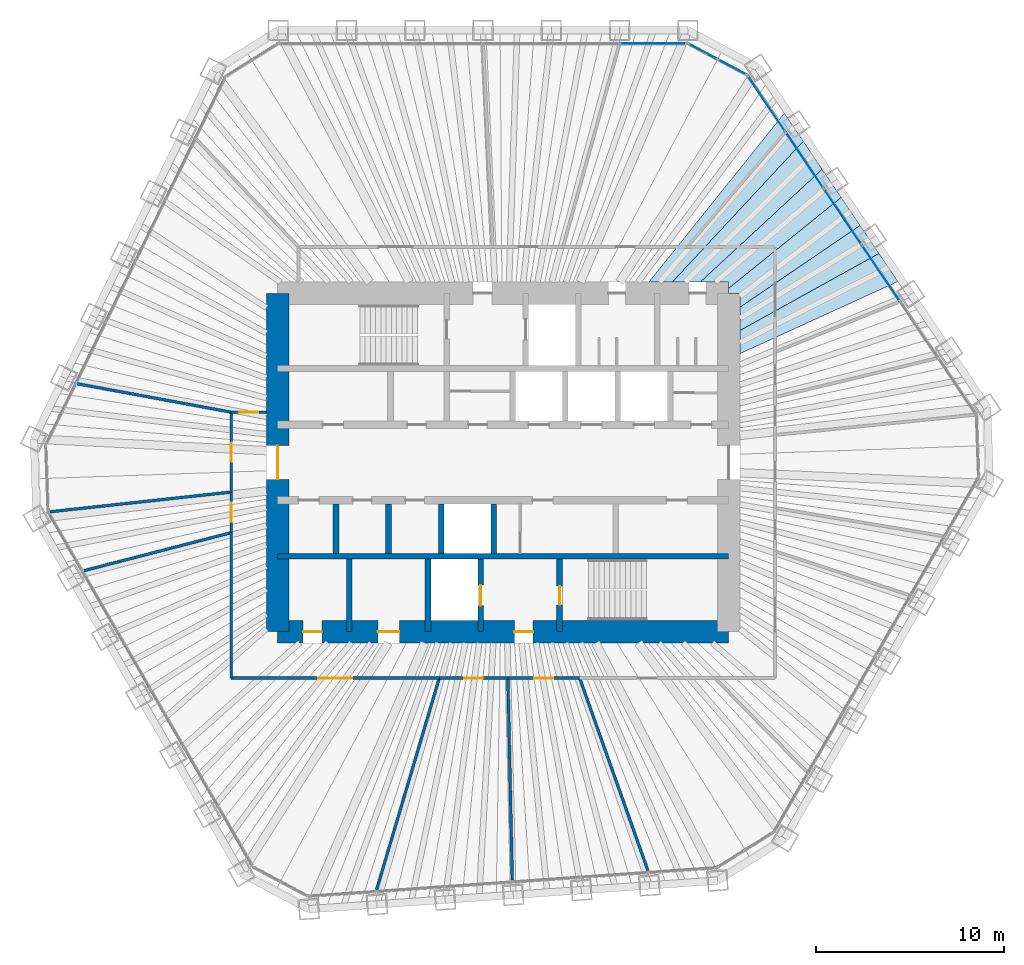
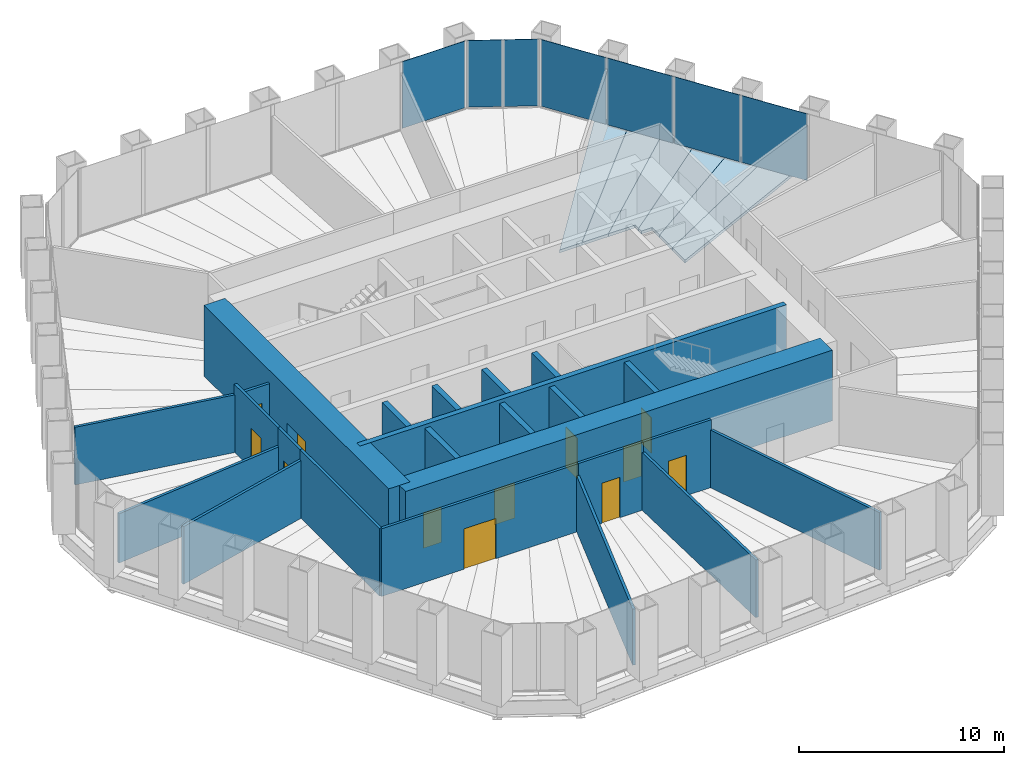
# One storey, part 10 of 13: 24 walls, 12 doors, 7 plates, 6 slabs, 12 openings, 3 elements without a shape of their own.
"""IFC4 building model written with IfcOpenShell, lengths in metres."""

from ifc_helpers import new_model, si_unit, direction, frame, frame_2d, origin, origin_2d, place, context, subcontext, project, spatial, polyline, rectangle, outline, extrude, material, layer, layer_set, type_object, element, fill, aggregate, save


model = new_model("IFC4")

# Units and contexts
model_context = context("Model", 3, precision=1e-05, world=origin(), true_north=direction((0.0, 1.0)))
body_context = subcontext(model_context, "Body", "Model", "MODEL_VIEW")
ifc_project = project(units=[si_unit("LENGTHUNIT", "METRE"), si_unit("AREAUNIT", "SQUARE_METRE"), si_unit("VOLUMEUNIT", "CUBIC_METRE"), si_unit("PLANEANGLEUNIT", "RADIAN"), si_unit("MASSUNIT", "GRAM", prefix="KILO")], contexts=[model_context])

# Site, building, storey
site_placement = place(None, origin())
site = spatial("IfcSite", under=ifc_project, at=site_placement, CompositionType="ELEMENT")
building_placement = place(site_placement, origin())
building = spatial("IfcBuilding", under=site, at=building_placement, Name="Qingtian Harvest Tower", CompositionType="ELEMENT")
storey_placement = place(building_placement, frame((0.0, 0.0, 209.800048828125)))
storey = spatial("IfcBuildingStorey", under=building, at=storey_placement, Name="L45", CompositionType="ELEMENT", Elevation=209.800048828125)

# Slabs
ifc_material_1 = material(Name="Concrete fc' 35 MPa", Category="concrete")
ifc_layer_1 = layer(ifc_material_1, 0.169921875)
ifc_layer_set_1 = layer_set([ifc_layer_1], Name="Composite floor slab FS17 170")
slab_type = type_object("IfcSlabType", Name="Composite floor slab FS17 170", PredefinedType="FLOOR", material=ifc_layer_set_1)
slab_1_placement = place(storey_placement, frame((0.0, 0.0, -0.170166015625)))
element("IfcSlab", 1, at=slab_1_placement, inside=storey, type_object=slab_type, Name="Floor slab L45 panel D45", PredefinedType="FLOOR", context=body_context, shape_type="SweptSolid", body=[
    extrude(outline(polyline([(12.60009765625, 7.023681640625), (20.003662109375, 11.125244140625), (21.010986328125, 9.6318359375), (12.60009765625, 5.7900390625), (12.60009765625, 7.023681640625)])), origin(), (0.0, 0.0, 1.0), 0.170166015625),
])
slab_2_placement = place(storey_placement, frame((0.0, 0.0, -0.170166015625)))
element("IfcSlab", 2, at=slab_2_placement, inside=storey, type_object=slab_type, Name="Floor slab L45 panel D46", PredefinedType="FLOOR", context=body_context, shape_type="SweptSolid", body=[
    extrude(outline(polyline([(12.60009765625, 8.260498046875), (18.997802734375, 12.61669921875), (20.003662109375, 11.125244140625), (12.60009765625, 7.023681640625), (12.60009765625, 8.260498046875)])), origin(), (0.0, 0.0, 1.0), 0.170166015625),
])
slab_3_placement = place(storey_placement, frame((0.0, 0.0, -0.170166015625)))
element("IfcSlab", 3, at=slab_3_placement, inside=storey, type_object=slab_type, Name="Floor slab L45 panel D47", PredefinedType="FLOOR", context=body_context, shape_type="SweptSolid", body=[
    extrude(outline(polyline([(12.60009765625, 9.0), (12.0, 9.0), (12.0, 9.2666015625), (17.99072265625, 14.109375), (18.997802734375, 12.61669921875), (12.60009765625, 8.260498046875), (12.60009765625, 9.0)])), origin(), (0.0, 0.0, 1.0), 0.170166015625),
])
slab_4_placement = place(storey_placement, frame((0.0, 0.0, -0.170166015625)))
element("IfcSlab", 4, at=slab_4_placement, inside=storey, type_object=slab_type, Name="Floor slab L45 panel D48", PredefinedType="FLOOR", context=body_context, shape_type="SweptSolid", body=[
    extrude(outline(polyline([(12.0, 9.60009765625), (10.48583984375, 9.60009765625), (16.982177734375, 15.604736328125), (17.99072265625, 14.109375), (12.0, 9.2666015625), (12.0, 9.60009765625)])), origin(), (0.0, 0.0, 1.0), 0.170166015625),
])
slab_5_placement = place(storey_placement, frame((0.0, 0.0, -0.170166015625)))
element("IfcSlab", 5, at=slab_5_placement, inside=storey, type_object=slab_type, Name="Floor slab L45 panel D49", PredefinedType="FLOOR", context=body_context, shape_type="SweptSolid", body=[
    extrude(outline(polyline([(8.998291015625, 9.60009765625), (15.974853515625, 17.098388671875), (16.982177734375, 15.604736328125), (10.48583984375, 9.60009765625), (8.998291015625, 9.60009765625)])), origin(), (0.0, 0.0, 1.0), 0.170166015625),
])
slab_6_placement = place(storey_placement, frame((0.0, 0.0, -0.170166015625)))
element("IfcSlab", 6, at=slab_6_placement, inside=storey, type_object=slab_type, Name="Floor slab L45 panel D50", PredefinedType="FLOOR", context=body_context, shape_type="SweptSolid", body=[
    extrude(outline(polyline([(7.751220703125, 9.60009765625), (14.967529296875, 18.591796875), (15.974853515625, 17.098388671875), (8.998291015625, 9.60009765625), (7.751220703125, 9.60009765625)])), origin(), (0.0, 0.0, 1.0), 0.170166015625),
])

# Curtain wall, plate
ifc_material_2 = material(Name="Bronze-anodised aluminium curtain wall", Category="aluminium")
curtain_wall_type = type_object("IfcCurtainWallType", Name="Curtain wall CW4 office", PredefinedType="USERDEFINED", material=ifc_material_2)
curtain_wall_1_placement = place(storey_placement, origin())
curtain_wall_1 = element("IfcCurtainWall", 7, at=curtain_wall_1_placement, inside=storey, type_object=curtain_wall_type, Name="Curtain wall CW4 L45 N0-5", ObjectType="RECESSED CURTAIN WALL", PredefinedType="USERDEFINED")
ifc_material_3 = material(Name="Bronze-tinted laminated insulating glass", Category="glass")
ifc_layer_2 = layer(ifc_material_3, 0.030029296875)
ifc_layer_set_2 = layer_set([ifc_layer_2], Name="Glazed panel CWP tinted IGU")
plate_type = type_object("IfcPlateType", Name="Glazed panel CWP tinted IGU", PredefinedType="CURTAIN_PANEL", material=ifc_layer_set_2)
plate_1_placement = place(storey_placement, frame((7.996337890625, 22.300048828125, 0.06494140625), z_axis=(0.0, 0.0, 1.0), x_axis=(1.0, 0.0, 0.0)))
plate_1 = element("IfcPlate", 8, at=plate_1_placement, type_object=plate_type, Name="CW4 panel 6.1", PredefinedType="CURTAIN_PANEL", context=body_context, shape_type="SweptSolid", body=[
    extrude(rectangle(XDim=3.5361328125, YDim=0.030029296875, at=origin_2d()), origin(), (0.0, 0.0, 1.0), 3.965087890625),
])
aggregate(curtain_wall_1, [plate_1])

# Curtain wall, plates
curtain_wall_2_placement = place(storey_placement, origin())
curtain_wall_2 = element("IfcCurtainWall", 9, at=curtain_wall_2_placement, inside=storey, type_object=curtain_wall_type, Name="Curtain wall CW4 L45 NC", ObjectType="RECESSED CURTAIN WALL", PredefinedType="USERDEFINED")
plate_2_placement = place(storey_placement, frame((10.634033203125, 21.8720703125, 0.06494140625), z_axis=(0.0, 0.0, 1.0), x_axis=(0.882947592859, -0.469471562786, 0.0)))
plate_2 = element("IfcPlate", 10, at=plate_2_placement, type_object=plate_type, Name="CW4 panel 1.1", PredefinedType="CURTAIN_PANEL", context=body_context, shape_type="SweptSolid", body=[
    extrude(rectangle(XDim=1.69287109375, YDim=0.030029296875, at=origin_2d()), origin(), (0.0, 0.0, 1.0), 3.965087890625),
])
plate_3_placement = place(storey_placement, frame((12.186279296875, 21.046875, 0.06494140625), z_axis=(0.0, 0.0, 1.0), x_axis=(0.882947592859, -0.469471562786, 0.0)))
plate_3 = element("IfcPlate", 11, at=plate_3_placement, type_object=plate_type, Name="CW4 panel 2.1", PredefinedType="CURTAIN_PANEL", context=body_context, shape_type="SweptSolid", body=[
    extrude(rectangle(XDim=1.69287109375, YDim=0.030029296875, at=origin_2d()), origin(), (0.0, 0.0, 1.0), 3.965087890625),
])
aggregate(curtain_wall_2, [plate_2, plate_3])

curtain_wall_3_placement = place(storey_placement, origin())
curtain_wall_3 = element("IfcCurtainWall", 12, at=curtain_wall_3_placement, inside=storey, type_object=curtain_wall_type, Name="Curtain wall CW4 L45 NE0-5", ObjectType="RECESSED CURTAIN WALL", PredefinedType="USERDEFINED")
plate_4_placement = place(storey_placement, frame((14.01611328125, 19.09912109375, 0.06494140625), z_axis=(0.0, 0.0, 1.0), x_axis=(0.559192903471, -0.829037572555, 0.0)))
plate_4 = element("IfcPlate", 13, at=plate_4_placement, type_object=plate_type, Name="CW4 panel 1.1", PredefinedType="CURTAIN_PANEL", context=body_context, shape_type="SweptSolid", body=[
    extrude(rectangle(XDim=3.5361328125, YDim=0.030029296875, at=origin_2d()), origin(), (0.0, 0.0, 1.0), 3.965087890625),
])
plate_5_placement = place(storey_placement, frame((16.038818359375, 16.100341796875, 0.06494140625), z_axis=(0.0, 0.0, 1.0), x_axis=(0.559192903471, -0.829037572555, 0.0)))
plate_5 = element("IfcPlate", 14, at=plate_5_placement, type_object=plate_type, Name="CW4 panel 2.1", PredefinedType="CURTAIN_PANEL", context=body_context, shape_type="SweptSolid", body=[
    extrude(rectangle(XDim=3.568603515625, YDim=0.030029296875, at=origin_2d()), origin(), (0.0, 0.0, 1.0), 3.965087890625),
])
plate_6_placement = place(storey_placement, frame((18.07080078125, 13.087890625, 0.06494140625), z_axis=(0.0, 0.0, 1.0), x_axis=(0.559192903471, -0.829037572555, 0.0)))
plate_6 = element("IfcPlate", 15, at=plate_6_placement, type_object=plate_type, Name="CW4 panel 3.1", PredefinedType="CURTAIN_PANEL", context=body_context, shape_type="SweptSolid", body=[
    extrude(rectangle(XDim=3.568603515625, YDim=0.030029296875, at=origin_2d()), origin(), (0.0, 0.0, 1.0), 3.965087890625),
])
plate_7_placement = place(storey_placement, frame((20.1025390625, 10.07568359375, 0.06494140625), z_axis=(0.0, 0.0, 1.0), x_axis=(0.559192903471, -0.829037572555, 0.0)))
plate_7 = element("IfcPlate", 16, at=plate_7_placement, type_object=plate_type, Name="CW4 panel 4.1", PredefinedType="CURTAIN_PANEL", context=body_context, shape_type="SweptSolid", body=[
    extrude(rectangle(XDim=3.568603515625, YDim=0.030029296875, at=origin_2d()), origin(), (0.0, 0.0, 1.0), 3.965087890625),
])
aggregate(curtain_wall_3, [plate_4, plate_5, plate_6, plate_7])

# Walls
ifc_material_4 = material(Name="Concrete fc' 70 MPa", Category="concrete")
ifc_layer_3 = layer(ifc_material_4, 0.300048828125)
ifc_layer_set_3 = layer_set([ifc_layer_3], Name="Core inner wall RC5 300")
wall_type_1 = type_object("IfcWallType", Name="Core inner wall RC5 300", PredefinedType="SHEAR", material=ifc_layer_set_3)
wall_1_placement = place(storey_placement, frame((-12.0, -5.0, 0.0), z_axis=(0.0, 0.0, 1.0), x_axis=(1.0, 0.0, 0.0)))
element("IfcWall", 17, at=wall_1_placement, inside=storey, type_object=wall_type_1, Name="Core wall IS5 L45", PredefinedType="SHEAR", context=body_context, shape_type="SweptSolid", body=[
    extrude(rectangle(XDim=24.0, YDim=0.300048828125, at=frame_2d((12.0, 0.0))), origin(), (0.0, 0.0, 1.0), 4.199951171875),
])
ifc_material_5 = material(Name="Precast concrete shaft panel", Category="concrete")
ifc_layer_4 = layer(ifc_material_5, 0.300048828125)
ifc_layer_set_4 = layer_set([ifc_layer_4], Name="Core shaft partition SW1 300")
wall_type_2 = type_object("IfcWallType", Name="Core shaft partition SW1 300", PredefinedType="PARTITIONING", material=ifc_layer_set_4)
for number, where, z_axis, x_axis, name in (
    (18, (-8.89990234375, -4.85009765625, 0.0), (0.0, 0.0, 1.0), (0.0, 1.0, 0.0), "Core shaft partition XB1 L45"),
    (19, (-6.10009765625, -4.85009765625, 0.0), (0.0, 0.0, 1.0), (0.0, 1.0, 0.0), "Core shaft partition XB2 L45"),
    (20, (-3.300048828125, -4.85009765625, 0.0), (0.0, 0.0, 1.0), (0.0, 1.0, 0.0), "Core shaft partition XB3 L45"),
    (21, (-0.5, -4.85009765625, 0.0), (0.0, 0.0, 1.0), (0.0, 1.0, 0.0), "Core shaft partition XB4 L45"),
):
    element("IfcWall", number, at=place(storey_placement, frame(where, z_axis=z_axis, x_axis=x_axis)), inside=storey, type_object=wall_type_2, Name=name, PredefinedType="PARTITIONING", context=body_context, shape_type="SweptSolid", body=[
        extrude(rectangle(XDim=2.650146484375, YDim=0.300048828125, at=frame_2d((1.3251953125, 0.0))), origin(), (0.0, 0.0, 1.0), 3.97998046875),
    ])
for number, where, z_axis, x_axis, name in (
    (22, (-8.199951171875, -9.0, 0.0), (0.0, 0.0, 1.0), (0.0, 1.0, 0.0), "Core shaft partition XS1 L45"),
    (23, (-4.0, -9.0, 0.0), (0.0, 0.0, 1.0), (0.0, 1.0, 0.0), "Core shaft partition XS2 L45"),
):
    element("IfcWall", number, at=place(storey_placement, frame(where, z_axis=z_axis, x_axis=x_axis)), inside=storey, type_object=wall_type_2, Name=name, PredefinedType="PARTITIONING", context=body_context, shape_type="SweptSolid", body=[
        extrude(rectangle(XDim=3.85009765625, YDim=0.300048828125, at=frame_2d((1.925048828125, 0.0))), origin(), (0.0, 0.0, 1.0), 3.97998046875),
    ])

# Wall, opening, door
wall_2_placement = place(storey_placement, frame((-1.199951171875, -9.0, 0.0), z_axis=(0.0, 0.0, 1.0), x_axis=(0.0, 1.0, 0.0)))
wall_2 = element("IfcWall", 24, at=wall_2_placement, inside=storey, type_object=wall_type_2, Name="Core shaft partition XS3 L45", PredefinedType="PARTITIONING", context=body_context, shape_type="SweptSolid", body=[
    extrude(rectangle(XDim=3.85009765625, YDim=0.300048828125, at=frame_2d((1.925048828125, 0.0))), origin(), (0.0, 0.0, 1.0), 3.97998046875),
])
opening_1_placement = place(wall_2_placement, frame((1.375, 0.0, 0.0)))
opening_1 = element("IfcOpeningElement", 25, at=opening_1_placement, cuts=wall_2, Name="Opening LD1", PredefinedType="OPENING", context=body_context, shape_type="SweptSolid", body=[
    extrude(rectangle(XDim=1.10009765625, YDim=2.39990234375, at=frame_2d((0.550048828125, 1.199951171875))), frame((0.0, 0.159912109375, 0.0), z_axis=(0.0, -1.0, 0.0), x_axis=(1.0, 0.0, 0.0)), (0.0, 0.0, 1.0), 0.320068359375),
])
ifc_material_6 = material(Name="Stainless steel lift landing door", Category="steel")
door_type_1 = type_object("IfcDoorType", Name="Lift landing door LD1 1 HR", OperationType="DOUBLE_DOOR_SLIDING", PredefinedType="DOOR", material=ifc_material_6)
door_1_placement = place(opening_1_placement, origin())
door_1 = element("IfcDoor", 26, at=door_1_placement, inside=storey, type_object=door_type_1, Name="FL2 landing door L45", OperationType="DOUBLE_DOOR_SLIDING", OverallHeight=2.39990234375, OverallWidth=1.10009765625, PredefinedType="DOOR", context=body_context, shape_type="SweptSolid", body=[
    extrude(rectangle(XDim=1.10009765625, YDim=2.39990234375, at=frame_2d((0.550048828125, 1.199951171875))), frame((0.0, 0.02490234375, 0.0), z_axis=(0.0, -1.0, 0.0), x_axis=(1.0, 0.0, 0.0)), (0.0, 0.0, 1.0), 0.050048828125),
])
fill(opening_1, door_1)

wall_3_placement = place(storey_placement, frame((3.0, -9.0, 0.0), z_axis=(0.0, 0.0, 1.0), x_axis=(0.0, 1.0, 0.0)))
wall_3 = element("IfcWall", 27, at=wall_3_placement, inside=storey, type_object=wall_type_2, Name="Core shaft partition XS4 L45", PredefinedType="PARTITIONING", context=body_context, shape_type="SweptSolid", body=[
    extrude(rectangle(XDim=3.85009765625, YDim=0.300048828125, at=frame_2d((1.925048828125, 0.0))), origin(), (0.0, 0.0, 1.0), 3.97998046875),
])
opening_2_placement = place(wall_3_placement, frame((1.425048828125, 0.0, 0.0)))
opening_2 = element("IfcOpeningElement", 28, at=opening_2_placement, cuts=wall_3, Name="Opening FD1", PredefinedType="OPENING", context=body_context, shape_type="SweptSolid", body=[
    extrude(rectangle(XDim=1.0, YDim=2.10009765625, at=frame_2d((0.5, 1.050048828125))), frame((0.0, 0.159912109375, 0.0), z_axis=(0.0, -1.0, 0.0), x_axis=(1.0, 0.0, 0.0)), (0.0, 0.0, 1.0), 0.320068359375),
])
ifc_material_7 = material(Name="Steel-faced door leaf", Category="steel")
door_type_2 = type_object("IfcDoorType", Name="Fire door FD1 single 1 HR", OperationType="SINGLE_SWING_LEFT", PredefinedType="DOOR", material=ifc_material_7)
door_2_placement = place(opening_2_placement, origin())
door_2 = element("IfcDoor", 29, at=door_2_placement, inside=storey, type_object=door_type_2, Name="S2 door L45", OperationType="SINGLE_SWING_RIGHT", OverallHeight=2.10009765625, OverallWidth=1.0, PredefinedType="DOOR", context=body_context, shape_type="SweptSolid", body=[
    extrude(rectangle(XDim=1.0, YDim=2.10009765625, at=frame_2d((0.5, 1.050048828125))), frame((0.0, 0.02490234375, 0.0), z_axis=(0.0, -1.0, 0.0), x_axis=(1.0, 0.0, 0.0)), (0.0, 0.0, 1.0), 0.050048828125),
])
fill(opening_2, door_2)

# Wall, openings, doors
ifc_material_8 = material(Name="Concrete fc' 70 MPa", Category="concrete")
ifc_layer_5 = layer(ifc_material_8, 1.199951171875)
ifc_layer_set_5 = layer_set([ifc_layer_5], Name="Core wall RC2 1200")
wall_type_3 = type_object("IfcWallType", Name="Core wall RC2 1200", PredefinedType="SHEAR", material=ifc_layer_set_5)
wall_4_placement = place(storey_placement, frame((-12.0, -9.0, 0.0), z_axis=(0.0, 0.0, 1.0), x_axis=(1.0, 0.0, 0.0)))
wall_4 = element("IfcWall", 30, at=wall_4_placement, inside=storey, type_object=wall_type_3, Name="Core wall CS L45", PredefinedType="SHEAR", context=body_context, shape_type="SweptSolid", body=[
    extrude(rectangle(XDim=24.0, YDim=1.199951171875, at=frame_2d((12.0, 0.0))), origin(), (0.0, 0.0, 1.0), 4.199951171875),
])
opening_3_placement = place(wall_4_placement, frame((1.35009765625, 0.0, 0.0)))
opening_3 = element("IfcOpeningElement", 31, at=opening_3_placement, cuts=wall_4, Name="Opening FD1", PredefinedType="OPENING", context=body_context, shape_type="SweptSolid", body=[
    extrude(rectangle(XDim=1.0, YDim=2.10009765625, at=frame_2d((0.5, 1.050048828125))), frame((0.0, 0.60986328125, 0.0), z_axis=(0.0, -1.0, 0.0), x_axis=(1.0, 0.0, 0.0)), (0.0, 0.0, 1.0), 1.219970703125),
])
opening_4_placement = place(wall_4_placement, frame((5.324951171875, 0.0, 0.0)))
opening_4 = element("IfcOpeningElement", 32, at=opening_4_placement, cuts=wall_4, Name="Opening AD1", PredefinedType="OPENING", context=body_context, shape_type="SweptSolid", body=[
    extrude(rectangle(XDim=1.14990234375, YDim=2.10009765625, at=frame_2d((0.574951171875, 1.050048828125))), frame((0.0, 0.60986328125, 0.0), z_axis=(0.0, -1.0, 0.0), x_axis=(1.0, 0.0, 0.0)), (0.0, 0.0, 1.0), 1.219970703125),
])
opening_5_placement = place(wall_4_placement, frame((12.60009765625, 0.0, 0.0)))
opening_5 = element("IfcOpeningElement", 33, at=opening_5_placement, cuts=wall_4, Name="Opening FD1", PredefinedType="OPENING", context=body_context, shape_type="SweptSolid", body=[
    extrude(rectangle(XDim=1.0, YDim=2.10009765625, at=frame_2d((0.5, 1.050048828125))), frame((0.0, 0.60986328125, 0.0), z_axis=(0.0, -1.0, 0.0), x_axis=(1.0, 0.0, 0.0)), (0.0, 0.0, 1.0), 1.219970703125),
])
ifc_material_9 = material(Name="Laminated timber door leaf", Category="wood")
door_type_3 = type_object("IfcDoorType", Name="Accessible WC door AD1 single", OperationType="SINGLE_SWING_LEFT", PredefinedType="DOOR", material=ifc_material_9)
door_3_placement = place(opening_4_placement, origin())
door_3 = element("IfcDoor", 34, at=door_3_placement, inside=storey, type_object=door_type_3, Name="AWC door L45", OperationType="SINGLE_SWING_LEFT", OverallHeight=2.10009765625, OverallWidth=1.14990234375, PredefinedType="DOOR", context=body_context, shape_type="SweptSolid", body=[
    extrude(rectangle(XDim=1.14990234375, YDim=2.10009765625, at=frame_2d((0.574951171875, 1.050048828125))), frame((0.0, 0.02490234375, 0.0), z_axis=(0.0, -1.0, 0.0), x_axis=(1.0, 0.0, 0.0)), (0.0, 0.0, 1.0), 0.050048828125),
])
fill(opening_4, door_3)
door_4_placement = place(opening_3_placement, origin())
door_4 = element("IfcDoor", 35, at=door_4_placement, inside=storey, type_object=door_type_2, Name="CLN door L45", OperationType="SINGLE_SWING_LEFT", OverallHeight=2.10009765625, OverallWidth=1.0, PredefinedType="DOOR", context=body_context, shape_type="SweptSolid", body=[
    extrude(rectangle(XDim=1.0, YDim=2.10009765625, at=frame_2d((0.5, 1.050048828125))), frame((0.0, 0.02490234375, 0.0), z_axis=(0.0, -1.0, 0.0), x_axis=(1.0, 0.0, 0.0)), (0.0, 0.0, 1.0), 0.050048828125),
])
fill(opening_3, door_4)
door_5_placement = place(opening_5_placement, origin())
door_5 = element("IfcDoor", 36, at=door_5_placement, inside=storey, type_object=door_type_2, Name="V2 door L45", OperationType="SINGLE_SWING_RIGHT", OverallHeight=2.10009765625, OverallWidth=1.0, PredefinedType="DOOR", context=body_context, shape_type="SweptSolid", body=[
    extrude(rectangle(XDim=1.0, YDim=2.10009765625, at=frame_2d((0.5, 1.050048828125))), frame((0.0, 0.02490234375, 0.0), z_axis=(0.0, -1.0, 0.0), x_axis=(1.0, 0.0, 0.0)), (0.0, 0.0, 1.0), 0.050048828125),
])
fill(opening_5, door_5)

# Wall, opening, door
wall_5_placement = place(storey_placement, frame((-12.0, -9.0, 0.0), z_axis=(0.0, 0.0, 1.0), x_axis=(0.0, 1.0, 0.0)))
wall_5 = element("IfcWall", 37, at=wall_5_placement, inside=storey, type_object=wall_type_3, Name="Core wall CW L45", PredefinedType="SHEAR", context=body_context, shape_type="SweptSolid", body=[
    extrude(rectangle(XDim=18.0, YDim=1.199951171875, at=frame_2d((9.0, 0.0))), origin(), (0.0, 0.0, 1.0), 4.199951171875),
])
opening_6_placement = place(wall_5_placement, frame((8.10009765625, 0.0, 0.0)))
opening_6 = element("IfcOpeningElement", 38, at=opening_6_placement, cuts=wall_5, Name="Opening FD2", PredefinedType="OPENING", context=body_context, shape_type="SweptSolid", body=[
    extrude(rectangle(XDim=1.800048828125, YDim=2.10009765625, at=frame_2d((0.89990234375, 1.050048828125))), frame((0.0, 0.60986328125, 0.0), z_axis=(0.0, -1.0, 0.0), x_axis=(1.0, 0.0, 0.0)), (0.0, 0.0, 1.0), 1.219970703125),
])
ifc_material_10 = material(Name="Steel-faced door leaf", Category="steel")
door_type_4 = type_object("IfcDoorType", Name="Fire door FD2 double 1 HR", OperationType="DOUBLE_DOOR_DOUBLE_SWING", PredefinedType="DOOR", material=ifc_material_10)
door_6_placement = place(opening_6_placement, origin())
door_6 = element("IfcDoor", 39, at=door_6_placement, inside=storey, type_object=door_type_4, Name="LOBBY-W door L45", OperationType="DOUBLE_DOOR_DOUBLE_SWING", OverallHeight=2.10009765625, OverallWidth=1.800048828125, PredefinedType="DOOR", context=body_context, shape_type="SweptSolid", body=[
    extrude(rectangle(XDim=1.800048828125, YDim=2.10009765625, at=frame_2d((0.89990234375, 1.050048828125))), frame((0.0, 0.02490234375, 0.0), z_axis=(0.0, -1.0, 0.0), x_axis=(1.0, 0.0, 0.0)), (0.0, 0.0, 1.0), 0.050048828125),
])
fill(opening_6, door_6)

# Wall
ifc_material_11 = material(Name="Gypsum board on steel studs", Category="steel")
ifc_layer_6 = layer(ifc_material_11, 0.14990234375)
ifc_layer_set_6 = layer_set([ifc_layer_6], Name="Partition PT1 150")
wall_type_4 = type_object("IfcWallType", Name="Partition PT1 150", PredefinedType="PARTITIONING", material=ifc_layer_set_6)
wall_6_placement = place(storey_placement, frame((-6.734130859375, -22.7314453125, 0.0), z_axis=(0.0, 0.0, 1.0), x_axis=(0.284049386564, 0.958809650553, 0.0)))
element("IfcWall", 40, at=wall_6_placement, inside=storey, type_object=wall_type_4, Name="Workplace zone wall L45", PredefinedType="PARTITIONING", context=body_context, shape_type="SweptSolid", body=[
    extrude(rectangle(XDim=11.739990234375, YDim=0.14990234375, at=frame_2d((5.8701171875, 0.0))), origin(), (0.0, 0.0, 1.0), 3.329833984375),
])

# Wall, opening, door
wall_7_placement = place(storey_placement, frame((-3.3994140625, -11.47509765625, 0.0), z_axis=(0.0, 0.0, 1.0), x_axis=(-1.0, 0.0, 0.0)))
wall_7 = element("IfcWall", 41, at=wall_7_placement, inside=storey, type_object=wall_type_4, Name="Workplace zone wall L45", PredefinedType="PARTITIONING", context=body_context, shape_type="SweptSolid", body=[
    extrude(rectangle(XDim=11.07568359375, YDim=0.14990234375, at=frame_2d((5.537841796875, 0.0))), origin(), (0.0, 0.0, 1.0), 4.030029296875),
])
opening_7_placement = place(wall_7_placement, frame((4.6376953125, 0.0, 0.0)))
opening_7 = element("IfcOpeningElement", 42, at=opening_7_placement, cuts=wall_7, Name="Opening D3", PredefinedType="OPENING", context=body_context, shape_type="SweptSolid", body=[
    extrude(rectangle(XDim=1.800048828125, YDim=2.39990234375, at=frame_2d((0.89990234375, 1.199951171875))), frame((0.0, 0.0849609375, 0.0), z_axis=(0.0, -1.0, 0.0), x_axis=(1.0, 0.0, 0.0)), (0.0, 0.0, 1.0), 0.169921875),
])
ifc_material_12 = material(Name="Laminated timber door leaf", Category="wood")
door_type_5 = type_object("IfcDoorType", Name="Room door D3 double", OperationType="DOUBLE_DOOR_DOUBLE_SWING", PredefinedType="DOOR", material=ifc_material_12)
door_7_placement = place(opening_7_placement, origin())
door_7 = element("IfcDoor", 43, at=door_7_placement, inside=storey, type_object=door_type_5, Name="Workplace zone door L45", OperationType="DOUBLE_DOOR_DOUBLE_SWING", OverallHeight=2.39990234375, OverallWidth=1.800048828125, PredefinedType="DOOR", context=body_context, shape_type="SweptSolid", body=[
    extrude(rectangle(XDim=1.800048828125, YDim=2.39990234375, at=frame_2d((0.89990234375, 1.199951171875))), frame((0.0, 0.02490234375, 0.0), z_axis=(0.0, -1.0, 0.0), x_axis=(1.0, 0.0, 0.0)), (0.0, 0.0, 1.0), 0.050048828125),
])
fill(opening_7, door_7)

# Walls
wall_8_placement = place(storey_placement, frame((-14.47509765625, -11.47509765625, 0.0), z_axis=(0.0, 0.0, 1.0), x_axis=(0.0, 1.0, 0.0)))
element("IfcWall", 44, at=wall_8_placement, inside=storey, type_object=wall_type_4, Name="Workplace zone wall L45", PredefinedType="PARTITIONING", context=body_context, shape_type="SweptSolid", body=[
    extrude(rectangle(XDim=7.739013671875, YDim=0.14990234375, at=frame_2d((3.86962890625, 0.0))), origin(), (0.0, 0.0, 1.0), 4.030029296875),
])
wall_9_placement = place(storey_placement, frame((-22.3134765625, -5.75927734375, 0.0), z_axis=(0.0, 0.0, 1.0), x_axis=(0.968265788926, 0.249922712042, 0.0)))
element("IfcWall", 45, at=wall_9_placement, inside=storey, type_object=wall_type_4, Name="Private office wall L45", PredefinedType="PARTITIONING", context=body_context, shape_type="SweptSolid", body=[
    extrude(rectangle(XDim=8.09521484375, YDim=0.14990234375, at=frame_2d((4.047607421875, 0.0))), origin(), (0.0, 0.0, 1.0), 3.429931640625),
])

# Wall, opening, door
wall_10_placement = place(storey_placement, frame((-14.47509765625, -3.736083984375, 0.0), z_axis=(0.0, 0.0, 1.0), x_axis=(0.0, 1.0, 0.0)))
wall_10 = element("IfcWall", 46, at=wall_10_placement, inside=storey, type_object=wall_type_4, Name="Private office wall L45", PredefinedType="PARTITIONING", context=body_context, shape_type="SweptSolid", body=[
    extrude(rectangle(XDim=2.16015625, YDim=0.14990234375, at=frame_2d((1.080078125, 0.0))), origin(), (0.0, 0.0, 1.0), 4.030029296875),
])
opening_8_placement = place(wall_10_placement, frame((0.580078125, 0.0, 0.0)))
opening_8 = element("IfcOpeningElement", 47, at=opening_8_placement, cuts=wall_10, Name="Opening D2", PredefinedType="OPENING", context=body_context, shape_type="SweptSolid", body=[
    extrude(rectangle(XDim=1.0, YDim=2.39990234375, at=frame_2d((0.5, 1.199951171875))), frame((0.0, 0.0849609375, 0.0), z_axis=(0.0, -1.0, 0.0), x_axis=(1.0, 0.0, 0.0)), (0.0, 0.0, 1.0), 0.169921875),
])
ifc_material_13 = material(Name="Laminated timber door leaf", Category="wood")
door_type_6 = type_object("IfcDoorType", Name="Room door D2 single", OperationType="SINGLE_SWING_LEFT", PredefinedType="DOOR", material=ifc_material_13)
door_8_placement = place(opening_8_placement, origin())
door_8 = element("IfcDoor", 48, at=door_8_placement, inside=storey, type_object=door_type_6, Name="Private office door L45", OperationType="SINGLE_SWING_LEFT", OverallHeight=2.39990234375, OverallWidth=1.0, PredefinedType="DOOR", context=body_context, shape_type="SweptSolid", body=[
    extrude(rectangle(XDim=1.0, YDim=2.39990234375, at=frame_2d((0.5, 1.199951171875))), frame((0.0, 0.02490234375, 0.0), z_axis=(0.0, -1.0, 0.0), x_axis=(1.0, 0.0, 0.0)), (0.0, 0.0, 1.0), 0.050048828125),
])
fill(opening_8, door_8)

# Wall
wall_11_placement = place(storey_placement, frame((-24.127685546875, -2.626708984375, 0.0), z_axis=(0.0, 0.0, 1.0), x_axis=(0.994126892449, 0.108220708326, 0.0)))
element("IfcWall", 49, at=wall_11_placement, inside=storey, type_object=wall_type_4, Name="Private office wall L45", PredefinedType="PARTITIONING", context=body_context, shape_type="SweptSolid", body=[
    extrude(rectangle(XDim=9.709716796875, YDim=0.14990234375, at=frame_2d((4.85498046875, 0.0))), origin(), (0.0, 0.0, 1.0), 2.929931640625),
])

# Wall, opening, door
wall_12_placement = place(storey_placement, frame((-14.47509765625, -1.575927734375, 0.0), z_axis=(0.0, 0.0, 1.0), x_axis=(0.0, 1.0, 0.0)))
wall_12 = element("IfcWall", 50, at=wall_12_placement, inside=storey, type_object=wall_type_4, Name="Private office wall L45", PredefinedType="PARTITIONING", context=body_context, shape_type="SweptSolid", body=[
    extrude(rectangle(XDim=4.251708984375, YDim=0.14990234375, at=frame_2d((2.1259765625, 0.0))), origin(), (0.0, 0.0, 1.0), 4.030029296875),
])
opening_9_placement = place(wall_12_placement, frame((1.625732421875, 0.0, 0.0)))
opening_9 = element("IfcOpeningElement", 51, at=opening_9_placement, cuts=wall_12, Name="Opening D2", PredefinedType="OPENING", context=body_context, shape_type="SweptSolid", body=[
    extrude(rectangle(XDim=1.0, YDim=2.39990234375, at=frame_2d((0.5, 1.199951171875))), frame((0.0, 0.0849609375, 0.0), z_axis=(0.0, -1.0, 0.0), x_axis=(1.0, 0.0, 0.0)), (0.0, 0.0, 1.0), 0.169921875),
])
door_9_placement = place(opening_9_placement, origin())
door_9 = element("IfcDoor", 52, at=door_9_placement, inside=storey, type_object=door_type_6, Name="Private office door L45", OperationType="SINGLE_SWING_LEFT", OverallHeight=2.39990234375, OverallWidth=1.0, PredefinedType="DOOR", context=body_context, shape_type="SweptSolid", body=[
    extrude(rectangle(XDim=1.0, YDim=2.39990234375, at=frame_2d((0.5, 1.199951171875))), frame((0.0, 0.02490234375, 0.0), z_axis=(0.0, -1.0, 0.0), x_axis=(1.0, 0.0, 0.0)), (0.0, 0.0, 1.0), 0.050048828125),
])
fill(opening_9, door_9)

# Wall
wall_13_placement = place(storey_placement, frame((-22.660888671875, 4.188720703125, 0.0), z_axis=(0.0, 0.0, 1.0), x_axis=(0.983345347199, -0.181746879316, 0.0)))
element("IfcWall", 53, at=wall_13_placement, inside=storey, type_object=wall_type_4, Name="Workplace zone wall L45", PredefinedType="PARTITIONING", context=body_context, shape_type="SweptSolid", body=[
    extrude(rectangle(XDim=8.324462890625, YDim=0.14990234375, at=frame_2d((4.162109375, 0.0))), origin(), (0.0, 0.0, 1.0), 3.429931640625),
])

# Wall, opening, door
wall_14_placement = place(storey_placement, frame((-14.47509765625, 2.67578125, 0.0), z_axis=(0.0, 0.0, 1.0), x_axis=(1.0, 0.0, 0.0)))
wall_14 = element("IfcWall", 54, at=wall_14_placement, inside=storey, type_object=wall_type_4, Name="Workplace zone wall L45", PredefinedType="PARTITIONING", context=body_context, shape_type="SweptSolid", body=[
    extrude(rectangle(XDim=1.875, YDim=0.14990234375, at=frame_2d((0.9375, 0.0))), origin(), (0.0, 0.0, 1.0), 3.429931640625),
])
opening_10_placement = place(wall_14_placement, frame((0.4375, 0.0, 0.0)))
opening_10 = element("IfcOpeningElement", 55, at=opening_10_placement, cuts=wall_14, Name="Opening D2", PredefinedType="OPENING", context=body_context, shape_type="SweptSolid", body=[
    extrude(rectangle(XDim=1.0, YDim=2.39990234375, at=frame_2d((0.5, 1.199951171875))), frame((0.0, 0.0849609375, 0.0), z_axis=(0.0, -1.0, 0.0), x_axis=(1.0, 0.0, 0.0)), (0.0, 0.0, 1.0), 0.169921875),
])
door_10_placement = place(opening_10_placement, origin())
door_10 = element("IfcDoor", 56, at=door_10_placement, inside=storey, type_object=door_type_6, Name="Workplace zone door L45", OperationType="SINGLE_SWING_LEFT", OverallHeight=2.39990234375, OverallWidth=1.0, PredefinedType="DOOR", context=body_context, shape_type="SweptSolid", body=[
    extrude(rectangle(XDim=1.0, YDim=2.39990234375, at=frame_2d((0.5, 1.199951171875))), frame((0.0, 0.02490234375, 0.0), z_axis=(0.0, -1.0, 0.0), x_axis=(1.0, 0.0, 0.0)), (0.0, 0.0, 1.0), 0.050048828125),
])
fill(opening_10, door_10)

# Wall
wall_15_placement = place(storey_placement, frame((7.702880859375, -21.71923828125, 0.0), z_axis=(0.0, 0.0, 1.0), x_axis=(-0.334269551553, 0.942477515331, 0.0)))
element("IfcWall", 57, at=wall_15_placement, inside=storey, type_object=wall_type_4, Name="Meeting room wall L45", PredefinedType="PARTITIONING", context=body_context, shape_type="SweptSolid", body=[
    extrude(rectangle(XDim=10.869384765625, YDim=0.14990234375, at=frame_2d((5.4345703125, 0.0))), origin(), (0.0, 0.0, 1.0), 3.429931640625),
])

# Wall, opening, door
wall_16_placement = place(storey_placement, frame((4.069580078125, -11.47509765625, 0.0), z_axis=(0.0, 0.0, 1.0), x_axis=(-1.0, 0.0, 0.0)))
wall_16 = element("IfcWall", 58, at=wall_16_placement, inside=storey, type_object=wall_type_4, Name="Meeting room wall L45", PredefinedType="PARTITIONING", context=body_context, shape_type="SweptSolid", body=[
    extrude(rectangle(XDim=3.8193359375, YDim=0.14990234375, at=frame_2d((1.90966796875, 0.0))), origin(), (0.0, 0.0, 1.0), 4.030029296875),
])
opening_11_placement = place(wall_16_placement, frame((1.40966796875, 0.0, 0.0)))
opening_11 = element("IfcOpeningElement", 59, at=opening_11_placement, cuts=wall_16, Name="Opening D2", PredefinedType="OPENING", context=body_context, shape_type="SweptSolid", body=[
    extrude(rectangle(XDim=1.0, YDim=2.39990234375, at=frame_2d((0.5, 1.199951171875))), frame((0.0, 0.0849609375, 0.0), z_axis=(0.0, -1.0, 0.0), x_axis=(1.0, 0.0, 0.0)), (0.0, 0.0, 1.0), 0.169921875),
])
door_11_placement = place(opening_11_placement, origin())
door_11 = element("IfcDoor", 60, at=door_11_placement, inside=storey, type_object=door_type_6, Name="Meeting room door L45", OperationType="SINGLE_SWING_LEFT", OverallHeight=2.39990234375, OverallWidth=1.0, PredefinedType="DOOR", context=body_context, shape_type="SweptSolid", body=[
    extrude(rectangle(XDim=1.0, YDim=2.39990234375, at=frame_2d((0.5, 1.199951171875))), frame((0.0, 0.02490234375, 0.0), z_axis=(0.0, -1.0, 0.0), x_axis=(1.0, 0.0, 0.0)), (0.0, 0.0, 1.0), 0.050048828125),
])
fill(opening_11, door_11)

# Wall
wall_17_placement = place(storey_placement, frame((0.484619140625, -22.220458984375, 0.0), z_axis=(0.0, 0.0, 1.0), x_axis=(-0.021806550804, 0.999762208899, 0.0)))
element("IfcWall", 61, at=wall_17_placement, inside=storey, type_object=wall_type_4, Name="Workplace zone wall L45", PredefinedType="PARTITIONING", context=body_context, shape_type="SweptSolid", body=[
    extrude(rectangle(XDim=10.747802734375, YDim=0.14990234375, at=frame_2d((5.3740234375, 0.0))), origin(), (0.0, 0.0, 1.0), 3.429931640625),
])

# Wall, opening, door
wall_18_placement = place(storey_placement, frame((0.250244140625, -11.47509765625, 0.0), z_axis=(0.0, 0.0, 1.0), x_axis=(-1.0, 0.0, 0.0)))
wall_18 = element("IfcWall", 62, at=wall_18_placement, inside=storey, type_object=wall_type_4, Name="Workplace zone wall L45", PredefinedType="PARTITIONING", context=body_context, shape_type="SweptSolid", body=[
    extrude(rectangle(XDim=3.649658203125, YDim=0.14990234375, at=frame_2d((1.82470703125, 0.0))), origin(), (0.0, 0.0, 1.0), 4.030029296875),
])
opening_12_placement = place(wall_18_placement, frame((1.324951171875, 0.0, 0.0)))
opening_12 = element("IfcOpeningElement", 63, at=opening_12_placement, cuts=wall_18, Name="Opening D2", PredefinedType="OPENING", context=body_context, shape_type="SweptSolid", body=[
    extrude(rectangle(XDim=1.0, YDim=2.39990234375, at=frame_2d((0.5, 1.199951171875))), frame((0.0, 0.0849609375, 0.0), z_axis=(0.0, -1.0, 0.0), x_axis=(1.0, 0.0, 0.0)), (0.0, 0.0, 1.0), 0.169921875),
])
door_12_placement = place(opening_12_placement, origin())
door_12 = element("IfcDoor", 64, at=door_12_placement, inside=storey, type_object=door_type_6, Name="Workplace zone door L45", OperationType="SINGLE_SWING_RIGHT", OverallHeight=2.39990234375, OverallWidth=1.0, PredefinedType="DOOR", context=body_context, shape_type="SweptSolid", body=[
    extrude(rectangle(XDim=1.0, YDim=2.39990234375, at=frame_2d((0.5, 1.199951171875))), frame((0.0, 0.02490234375, 0.0), z_axis=(0.0, -1.0, 0.0), x_axis=(1.0, 0.0, 0.0)), (0.0, 0.0, 1.0), 0.050048828125),
])
fill(opening_12, door_12)

save(model, "model.ifc")
